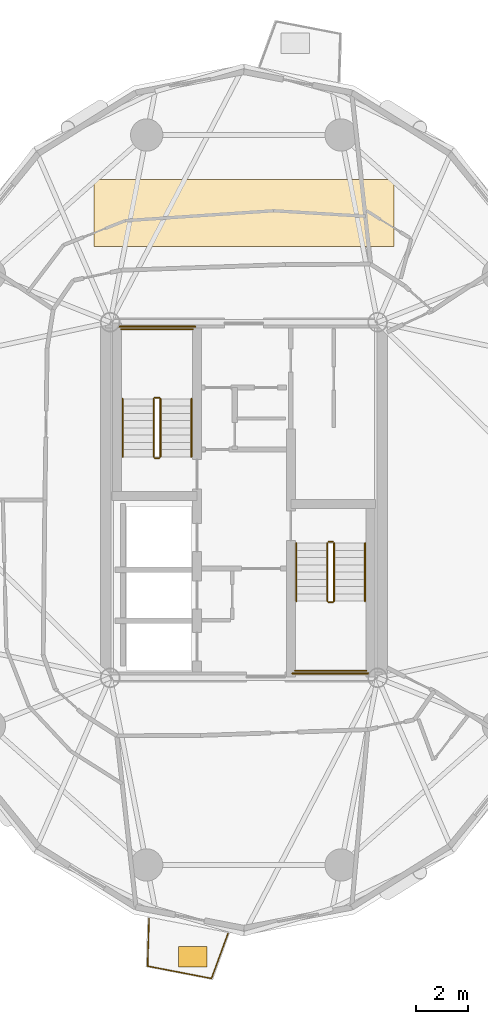
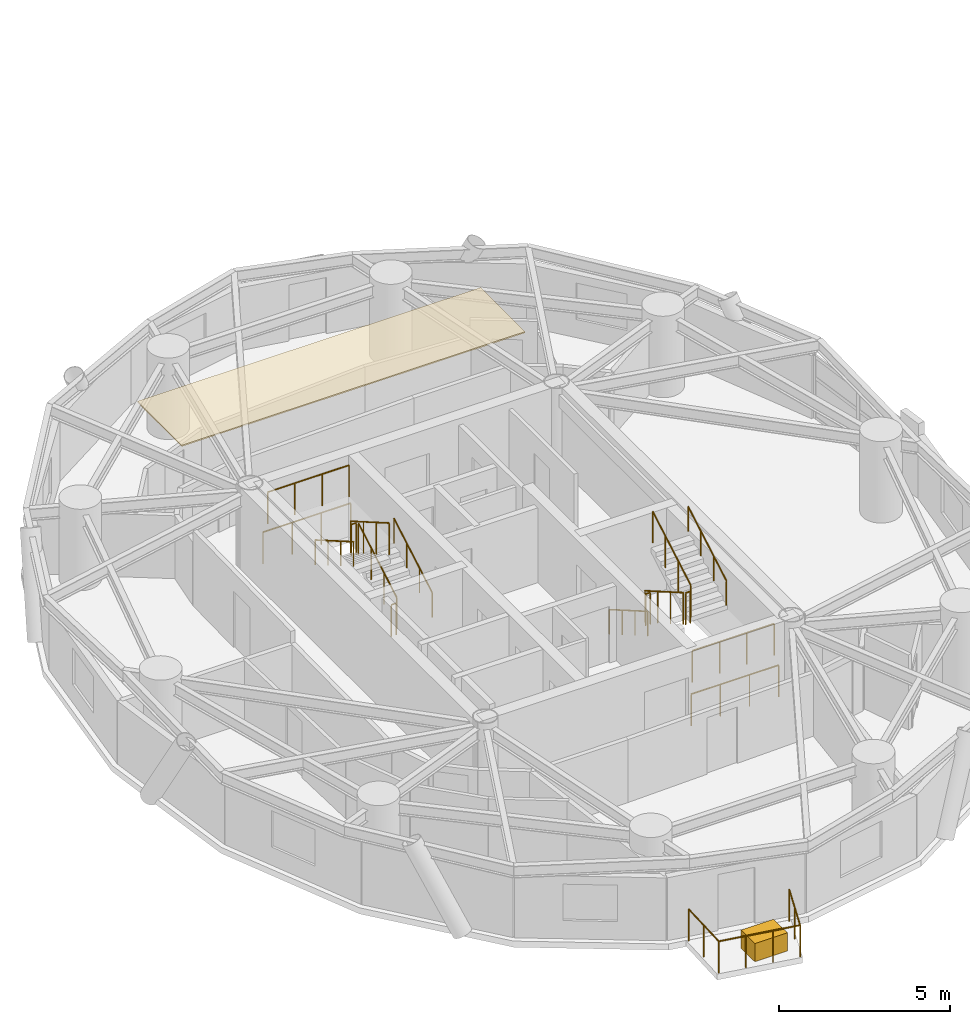
# One storey, part 14 of 16: 17 railings, 2 coverings.
"""IFC4 building model written with IfcOpenShell, lengths in metres."""

from ifc_helpers import new_model, si_unit, direction, frame, origin, origin_2d, place, context, subcontext, project, spatial, polyline, rectangle, circle, outline, extrude, source, transform, mapped, material, layer, layer_set, type_object, element, save


model = new_model("IFC4")

# Units and contexts
model_context = context("Model", 3, precision=1e-05, world=origin(), true_north=direction((0.0, 1.0)))
body_context = subcontext(model_context, "Body", "Model", "MODEL_VIEW")
ifc_project = project(units=[si_unit("LENGTHUNIT", "METRE"), si_unit("AREAUNIT", "SQUARE_METRE"), si_unit("VOLUMEUNIT", "CUBIC_METRE"), si_unit("PLANEANGLEUNIT", "RADIAN"), si_unit("MASSUNIT", "GRAM", prefix="KILO")], contexts=[model_context])

# Site, building, storey
site_placement = place(None, origin())
site = spatial("IfcSite", under=ifc_project, at=site_placement, CompositionType="ELEMENT")
building_placement = place(site_placement, origin())
building = spatial("IfcBuilding", under=site, at=building_placement, Name="Cununo Teusaquillo Station Towers", CompositionType="ELEMENT")
storey_placement = place(building_placement, frame((0.0, 0.0, 171.969970703125)))
storey = spatial("IfcBuildingStorey", under=building, at=storey_placement, Name="L54", CompositionType="ELEMENT", Elevation=171.969970703125)

# Covering
ifc_material_1 = material(Name="Mineral-fibre acoustic suspended ceiling tile", Category="finish")
ifc_layer_1 = layer(ifc_material_1, 0.044921875)
ifc_layer_set_1 = layer_set([ifc_layer_1], Name="Mineral-fibre acoustic suspended ceiling tile")
covering_type_1 = type_object("IfcCoveringType", Name="COV-CEIL-600", PredefinedType="CEILING", material=ifc_layer_set_1)
covering_1_placement = place(storey_placement, frame((0.0, 0.0, 2.64501953125)))
element("IfcCovering", 1, at=covering_1_placement, inside=storey, type_object=covering_type_1, Name="L54 Tower A Acoustic Ceiling", PredefinedType="CEILING", context=body_context, shape_type="SweptSolid", body=[
    extrude(outline(polyline([(22.300048828125, 36.89990234375), (22.300048828125, 34.300048828125), (10.699951171875, 34.300048828125), (10.699951171875, 36.89990234375), (22.300048828125, 36.89990234375)])), origin(), (0.0, 0.0, 1.0), 0.044921875),
])

# Railings
ifc_material_2 = material(Name="Anodised dark bronze aluminium EN AW-6063-T6", Category="aluminium")
railing_type_1 = type_object("IfcRailingType", Name="RL-EXT-GUARD", PredefinedType="GUARDRAIL", material=ifc_material_2)
railing_1_placement = place(storey_placement, frame((15.883544921875, 7.72265625, 0.0)))
element("IfcRailing", 2, at=railing_1_placement, inside=storey, type_object=railing_type_1, Name="L54 Tower A Balcony Guardrail C14", PredefinedType="GUARDRAIL", context=body_context, shape_type="SweptSolid", body=[
    extrude(circle(Radius=0.02392578125, at=origin_2d()), frame((0.0, 0.0, 1.1259765625), z_axis=(-0.3440608985, -0.938947335117, 0.0), x_axis=(0.938947335117, -0.3440608985, 0.0)), (0.0, 0.0, 1.0), 1.851318359375),
    extrude(circle(Radius=0.02392578125, at=origin_2d()), frame((-0.636962890625, -1.73828125, 1.1259765625), z_axis=(-0.981842829823, 0.189696224332, 0.0), x_axis=(-0.189696224332, -0.981842829823, 0.0)), (0.0, 0.0, 1.0), 2.517333984375),
    extrude(circle(Radius=0.02392578125, at=origin_2d()), frame((-3.108642578125, -1.2607421875, 1.1259765625), z_axis=(0.030460792522, 0.999535962394, 0.0), x_axis=(-0.999535962394, 0.030460792522, 0.0)), (0.0, 0.0, 1.0), 1.8515625),
    extrude(circle(Radius=0.02099609375, at=origin_2d()), origin(), (0.0, 0.0, 1.0), 1.101806640625),
    extrude(circle(Radius=0.02099609375, at=origin_2d()), frame((-0.318359375, -0.869140625, 0.0)), (0.0, 0.0, 1.0), 1.101806640625),
    extrude(circle(Radius=0.02099609375, at=origin_2d()), frame((-0.636962890625, -1.73828125, 0.0)), (0.0, 0.0, 1.0), 1.101806640625),
    extrude(circle(Radius=0.02099609375, at=origin_2d()), frame((-1.4609375, -1.5791015625, 0.0)), (0.0, 0.0, 1.0), 1.101806640625),
    extrude(circle(Radius=0.02099609375, at=origin_2d()), frame((-2.28466796875, -1.419921875, 0.0)), (0.0, 0.0, 1.0), 1.101806640625),
    extrude(circle(Radius=0.02099609375, at=origin_2d()), frame((-3.108642578125, -1.2607421875, 0.0)), (0.0, 0.0, 1.0), 1.101806640625),
    extrude(circle(Radius=0.02099609375, at=origin_2d()), frame((-3.08056640625, -0.33544921875, 0.0)), (0.0, 0.0, 1.0), 1.101806640625),
    extrude(circle(Radius=0.02099609375, at=origin_2d()), frame((-3.05224609375, 0.58984375, 0.0)), (0.0, 0.0, 1.0), 1.101806640625),
])
ifc_material_3 = material(Name="Steel EN 10025-2 S355J2", Category="steel")
railing_type_2 = type_object("IfcRailingType", Name="RL-INT-GUARD", PredefinedType="GUARDRAIL", material=ifc_material_3)
railing_2_placement = place(storey_placement, frame((13.27001953125, 26.169921875, 0.16162109375)))
element("IfcRailing", 3, at=railing_2_placement, inside=storey, type_object=railing_type_2, Name="L54 ST-T1-1 stair guard 1", PredefinedType="GUARDRAIL", context=body_context, shape_type="SweptSolid", body=[
    extrude(circle(Radius=0.02392578125, at=origin_2d()), frame((0.0, 0.0, 1.1259765625), z_axis=(0.0, 0.865992244559, 0.500057429065), x_axis=(-1.0, 0.0, 0.0)), (0.0, 0.0, 1.0), 2.586669921875),
    extrude(circle(Radius=0.02099609375, at=origin_2d()), origin(), (0.0, 0.0, 1.0), 1.101806640625),
    extrude(circle(Radius=0.02099609375, at=origin_2d()), frame((0.0, 0.74658203125, 0.43115234375)), (0.0, 0.0, 1.0), 1.101806640625),
    extrude(circle(Radius=0.02099609375, at=origin_2d()), frame((0.0, 1.493408203125, 0.8623046875)), (0.0, 0.0, 1.0), 1.101806640625),
    extrude(circle(Radius=0.02099609375, at=origin_2d()), frame((0.0, 2.239990234375, 1.29345703125)), (0.0, 0.0, 1.0), 1.101806640625),
])
railing_3_placement = place(storey_placement, frame((13.219970703125, 28.4599609375, 1.455078125)))
element("IfcRailing", 4, at=railing_3_placement, inside=storey, type_object=railing_type_2, Name="L54 ST-T1-1 stair guard 2", PredefinedType="GUARDRAIL", context=body_context, shape_type="SweptSolid", body=[
    extrude(circle(Radius=0.02392578125, at=origin_2d()), frame((0.0, 0.0, 1.1259765625), z_axis=(-1.0, 0.0, 0.0), x_axis=(0.0, -1.0, 0.0)), (0.0, 0.0, 1.0), 0.159912109375),
    extrude(circle(Radius=0.02099609375, at=origin_2d()), origin(), (0.0, 0.0, 1.0), 1.101806640625),
    extrude(circle(Radius=0.02099609375, at=origin_2d()), frame((-0.159912109375, 0.0, 0.0)), (0.0, 0.0, 1.0), 1.101806640625),
])
railing_4_placement = place(storey_placement, frame((14.52001953125, 31.110107421875, 1.455078125)))
element("IfcRailing", 5, at=railing_4_placement, inside=storey, type_object=railing_type_2, Name="L54 ST-T1-1 stair guard 3", PredefinedType="GUARDRAIL", context=body_context, shape_type="SweptSolid", body=[
    extrude(circle(Radius=0.02392578125, at=origin_2d()), frame((0.0, 0.0, 1.1259765625), z_axis=(-1.0, 0.0, 0.0), x_axis=(0.0, -1.0, 0.0)), (0.0, 0.0, 1.0), 2.760009765625),
    extrude(circle(Radius=0.02099609375, at=origin_2d()), origin(), (0.0, 0.0, 1.0), 1.101806640625),
    extrude(circle(Radius=0.02099609375, at=origin_2d()), frame((-0.919921875, 0.0, 0.0)), (0.0, 0.0, 1.0), 1.101806640625),
    extrude(circle(Radius=0.02099609375, at=origin_2d()), frame((-1.840087890625, 0.0, 0.0)), (0.0, 0.0, 1.0), 1.101806640625),
    extrude(circle(Radius=0.02099609375, at=origin_2d()), frame((-2.760009765625, 0.0, 0.0)), (0.0, 0.0, 1.0), 1.101806640625),
])
railing_5_placement = place(storey_placement, frame((13.010009765625, 28.409912109375, 1.61669921875)))
element("IfcRailing", 6, at=railing_5_placement, inside=storey, type_object=railing_type_2, Name="L54 ST-T1-1 stair guard 4", PredefinedType="GUARDRAIL", context=body_context, shape_type="SweptSolid", body=[
    extrude(circle(Radius=0.02392578125, at=origin_2d()), frame((0.0, 0.0, 1.1259765625), z_axis=(0.0, -0.866033117094, 0.499986639918), x_axis=(1.0, 0.0, 0.0)), (0.0, 0.0, 1.0), 2.58642578125),
    extrude(circle(Radius=0.02099609375, at=origin_2d()), origin(), (0.0, 0.0, 1.0), 1.101806640625),
    extrude(circle(Radius=0.02099609375, at=origin_2d()), frame((0.0, -0.74658203125, 0.43115234375)), (0.0, 0.0, 1.0), 1.101806640625),
    extrude(circle(Radius=0.02099609375, at=origin_2d()), frame((0.0, -1.493408203125, 0.862060546875)), (0.0, 0.0, 1.0), 1.101806640625),
    extrude(circle(Radius=0.02099609375, at=origin_2d()), frame((0.0, -2.239990234375, 1.293212890625)), (0.0, 0.0, 1.0), 1.101806640625),
])
railing_6_placement = place(storey_placement, frame((13.219970703125, 26.1201171875, 0.0)))
element("IfcRailing", 7, at=railing_6_placement, inside=storey, type_object=railing_type_2, Name="L54 ST-T1-1 stair guard 5", PredefinedType="GUARDRAIL", context=body_context, shape_type="SweptSolid", body=[
    extrude(circle(Radius=0.02392578125, at=origin_2d()), frame((0.0, 0.0, 1.1259765625), z_axis=(-1.0, 0.0, 0.0), x_axis=(0.0, -1.0, 0.0)), (0.0, 0.0, 1.0), 0.159912109375),
    extrude(circle(Radius=0.02099609375, at=origin_2d()), origin(), (0.0, 0.0, 1.0), 1.101806640625),
    extrude(circle(Radius=0.02099609375, at=origin_2d()), frame((-0.159912109375, 0.0, 0.0)), (0.0, 0.0, 1.0), 1.101806640625),
])
railing_7_placement = place(storey_placement, frame((14.6201171875, 31.2099609375, 0.0)))
element("IfcRailing", 8, at=railing_7_placement, inside=storey, type_object=railing_type_2, Name="L54 ST-T1-1 stair guard 6", PredefinedType="GUARDRAIL", context=body_context, shape_type="SweptSolid", body=[
    extrude(circle(Radius=0.02392578125, at=origin_2d()), frame((0.0, 0.0, 1.1259765625), z_axis=(-1.0, 0.0, 0.0), x_axis=(0.0, -1.0, 0.0)), (0.0, 0.0, 1.0), 2.960205078125),
    extrude(circle(Radius=0.02099609375, at=origin_2d()), origin(), (0.0, 0.0, 1.0), 1.101806640625),
    extrude(circle(Radius=0.02099609375, at=origin_2d()), frame((-0.98681640625, 0.0, 0.0)), (0.0, 0.0, 1.0), 1.101806640625),
    extrude(circle(Radius=0.02099609375, at=origin_2d()), frame((-1.973388671875, 0.0, 0.0)), (0.0, 0.0, 1.0), 1.101806640625),
    extrude(circle(Radius=0.02099609375, at=origin_2d()), frame((-2.960205078125, 0.0, 0.0)), (0.0, 0.0, 1.0), 1.101806640625),
])
railing_8_placement = place(storey_placement, frame((19.72998046875, 22.830078125, 0.16162109375)))
element("IfcRailing", 9, at=railing_8_placement, inside=storey, type_object=railing_type_2, Name="L54 ST-T1-2 stair guard 1", PredefinedType="GUARDRAIL", context=body_context, shape_type="SweptSolid", body=[
    extrude(circle(Radius=0.02392578125, at=origin_2d()), frame((0.0, 0.0, 1.1259765625), z_axis=(0.0, -0.865992244559, 0.500057429065), x_axis=(1.0, 0.0, 0.0)), (0.0, 0.0, 1.0), 2.586669921875),
    extrude(circle(Radius=0.02099609375, at=origin_2d()), origin(), (0.0, 0.0, 1.0), 1.101806640625),
    extrude(circle(Radius=0.02099609375, at=origin_2d()), frame((0.0, -0.74658203125, 0.43115234375)), (0.0, 0.0, 1.0), 1.101806640625),
    extrude(circle(Radius=0.02099609375, at=origin_2d()), frame((0.0, -1.493408203125, 0.8623046875)), (0.0, 0.0, 1.0), 1.101806640625),
    extrude(circle(Radius=0.02099609375, at=origin_2d()), frame((0.0, -2.239990234375, 1.29345703125)), (0.0, 0.0, 1.0), 1.101806640625),
])
railing_9_placement = place(storey_placement, frame((19.780029296875, 20.5400390625, 1.455078125)))
element("IfcRailing", 10, at=railing_9_placement, inside=storey, type_object=railing_type_2, Name="L54 ST-T1-2 stair guard 2", PredefinedType="GUARDRAIL", context=body_context, shape_type="SweptSolid", body=[
    extrude(circle(Radius=0.02392578125, at=origin_2d()), frame((0.0, 0.0, 1.1259765625), z_axis=(1.0, 0.0, 0.0), x_axis=(0.0, 1.0, 0.0)), (0.0, 0.0, 1.0), 0.159912109375),
    extrude(circle(Radius=0.02099609375, at=origin_2d()), origin(), (0.0, 0.0, 1.0), 1.101806640625),
    extrude(circle(Radius=0.02099609375, at=origin_2d()), frame((0.159912109375, 0.0, 0.0)), (0.0, 0.0, 1.0), 1.101806640625),
])
railing_10_placement = place(storey_placement, frame((18.47998046875, 17.889892578125, 1.455078125)))
element("IfcRailing", 11, at=railing_10_placement, inside=storey, type_object=railing_type_2, Name="L54 ST-T1-2 stair guard 3", PredefinedType="GUARDRAIL", context=body_context, shape_type="SweptSolid", body=[
    extrude(circle(Radius=0.02392578125, at=origin_2d()), frame((0.0, 0.0, 1.1259765625), z_axis=(1.0, 0.0, 0.0), x_axis=(0.0, 1.0, 0.0)), (0.0, 0.0, 1.0), 2.760009765625),
    extrude(circle(Radius=0.02099609375, at=origin_2d()), origin(), (0.0, 0.0, 1.0), 1.101806640625),
    extrude(circle(Radius=0.02099609375, at=origin_2d()), frame((0.919921875, 0.0, 0.0)), (0.0, 0.0, 1.0), 1.101806640625),
    extrude(circle(Radius=0.02099609375, at=origin_2d()), frame((1.840087890625, 0.0, 0.0)), (0.0, 0.0, 1.0), 1.101806640625),
    extrude(circle(Radius=0.02099609375, at=origin_2d()), frame((2.760009765625, 0.0, 0.0)), (0.0, 0.0, 1.0), 1.101806640625),
])
railing_11_placement = place(storey_placement, frame((19.989990234375, 20.590087890625, 1.61669921875)))
element("IfcRailing", 12, at=railing_11_placement, inside=storey, type_object=railing_type_2, Name="L54 ST-T1-2 stair guard 4", PredefinedType="GUARDRAIL", context=body_context, shape_type="SweptSolid", body=[
    extrude(circle(Radius=0.02392578125, at=origin_2d()), frame((0.0, 0.0, 1.1259765625), z_axis=(0.0, 0.866033117094, 0.499986639918), x_axis=(-1.0, 0.0, 0.0)), (0.0, 0.0, 1.0), 2.58642578125),
    extrude(circle(Radius=0.02099609375, at=origin_2d()), origin(), (0.0, 0.0, 1.0), 1.101806640625),
    extrude(circle(Radius=0.02099609375, at=origin_2d()), frame((0.0, 0.74658203125, 0.43115234375)), (0.0, 0.0, 1.0), 1.101806640625),
    extrude(circle(Radius=0.02099609375, at=origin_2d()), frame((0.0, 1.493408203125, 0.862060546875)), (0.0, 0.0, 1.0), 1.101806640625),
    extrude(circle(Radius=0.02099609375, at=origin_2d()), frame((0.0, 2.239990234375, 1.293212890625)), (0.0, 0.0, 1.0), 1.101806640625),
])
railing_12_placement = place(storey_placement, frame((19.780029296875, 22.8798828125, 0.0)))
element("IfcRailing", 13, at=railing_12_placement, inside=storey, type_object=railing_type_2, Name="L54 ST-T1-2 stair guard 5", PredefinedType="GUARDRAIL", context=body_context, shape_type="SweptSolid", body=[
    extrude(circle(Radius=0.02392578125, at=origin_2d()), frame((0.0, 0.0, 1.1259765625), z_axis=(1.0, 0.0, 0.0), x_axis=(0.0, 1.0, 0.0)), (0.0, 0.0, 1.0), 0.159912109375),
    extrude(circle(Radius=0.02099609375, at=origin_2d()), origin(), (0.0, 0.0, 1.0), 1.101806640625),
    extrude(circle(Radius=0.02099609375, at=origin_2d()), frame((0.159912109375, 0.0, 0.0)), (0.0, 0.0, 1.0), 1.101806640625),
])
railing_13_placement = place(storey_placement, frame((18.3798828125, 17.7900390625, 0.0)))
element("IfcRailing", 14, at=railing_13_placement, inside=storey, type_object=railing_type_2, Name="L54 ST-T1-2 stair guard 6", PredefinedType="GUARDRAIL", context=body_context, shape_type="SweptSolid", body=[
    extrude(circle(Radius=0.02392578125, at=origin_2d()), frame((0.0, 0.0, 1.1259765625), z_axis=(1.0, 0.0, 0.0), x_axis=(0.0, 1.0, 0.0)), (0.0, 0.0, 1.0), 2.960205078125),
    extrude(circle(Radius=0.02099609375, at=origin_2d()), origin(), (0.0, 0.0, 1.0), 1.101806640625),
    extrude(circle(Radius=0.02099609375, at=origin_2d()), frame((0.98681640625, 0.0, 0.0)), (0.0, 0.0, 1.0), 1.101806640625),
    extrude(circle(Radius=0.02099609375, at=origin_2d()), frame((1.973388671875, 0.0, 0.0)), (0.0, 0.0, 1.0), 1.101806640625),
    extrude(circle(Radius=0.02099609375, at=origin_2d()), frame((2.960205078125, 0.0, 0.0)), (0.0, 0.0, 1.0), 1.101806640625),
])
ifc_material_4 = material(Name="Steel EN 10025-2 S355J2", Category="steel")
railing_type_3 = type_object("IfcRailingType", Name="RL-INT-HRAIL", PredefinedType="HANDRAIL", material=ifc_material_4)
railing_14_placement = place(storey_placement, frame((14.469970703125, 26.169921875, 0.16162109375)))
element("IfcRailing", 15, at=railing_14_placement, inside=storey, type_object=railing_type_3, Name="L54 ST-T1-1 stair handrail 1", PredefinedType="HANDRAIL", context=body_context, shape_type="SweptSolid", body=[
    extrude(circle(Radius=0.02392578125, at=origin_2d()), frame((0.0, 0.0, 0.8759765625), z_axis=(0.0, 0.865992244559, 0.500057429065), x_axis=(-1.0, 0.0, 0.0)), (0.0, 0.0, 1.0), 2.586669921875),
    extrude(circle(Radius=0.02099609375, at=origin_2d()), origin(), (0.0, 0.0, 1.0), 0.851806640625),
    extrude(circle(Radius=0.02099609375, at=origin_2d()), frame((0.0, 0.74658203125, 0.43115234375)), (0.0, 0.0, 1.0), 0.851806640625),
    extrude(circle(Radius=0.02099609375, at=origin_2d()), frame((0.0, 1.493408203125, 0.8623046875)), (0.0, 0.0, 1.0), 0.851806640625),
    extrude(circle(Radius=0.02099609375, at=origin_2d()), frame((0.0, 2.239990234375, 1.29345703125)), (0.0, 0.0, 1.0), 0.851806640625),
])
railing_15_placement = place(storey_placement, frame((11.81005859375, 28.409912109375, 1.61669921875)))
element("IfcRailing", 16, at=railing_15_placement, inside=storey, type_object=railing_type_3, Name="L54 ST-T1-1 stair handrail 2", PredefinedType="HANDRAIL", context=body_context, shape_type="SweptSolid", body=[
    extrude(circle(Radius=0.02392578125, at=origin_2d()), frame((0.0, 0.0, 0.8759765625), z_axis=(0.0, -0.866033117094, 0.499986639918), x_axis=(1.0, 0.0, 0.0)), (0.0, 0.0, 1.0), 2.58642578125),
    extrude(circle(Radius=0.02099609375, at=origin_2d()), origin(), (0.0, 0.0, 1.0), 0.851806640625),
    extrude(circle(Radius=0.02099609375, at=origin_2d()), frame((0.0, -0.74658203125, 0.43115234375)), (0.0, 0.0, 1.0), 0.851806640625),
    extrude(circle(Radius=0.02099609375, at=origin_2d()), frame((0.0, -1.493408203125, 0.862060546875)), (0.0, 0.0, 1.0), 0.851806640625),
    extrude(circle(Radius=0.02099609375, at=origin_2d()), frame((0.0, -2.239990234375, 1.293212890625)), (0.0, 0.0, 1.0), 0.851806640625),
])
railing_16_placement = place(storey_placement, frame((18.530029296875, 22.830078125, 0.16162109375)))
element("IfcRailing", 17, at=railing_16_placement, inside=storey, type_object=railing_type_3, Name="L54 ST-T1-2 stair handrail 1", PredefinedType="HANDRAIL", context=body_context, shape_type="SweptSolid", body=[
    extrude(circle(Radius=0.02392578125, at=origin_2d()), frame((0.0, 0.0, 0.8759765625), z_axis=(0.0, -0.865992244559, 0.500057429065), x_axis=(1.0, 0.0, 0.0)), (0.0, 0.0, 1.0), 2.586669921875),
    extrude(circle(Radius=0.02099609375, at=origin_2d()), origin(), (0.0, 0.0, 1.0), 0.851806640625),
    extrude(circle(Radius=0.02099609375, at=origin_2d()), frame((0.0, -0.74658203125, 0.43115234375)), (0.0, 0.0, 1.0), 0.851806640625),
    extrude(circle(Radius=0.02099609375, at=origin_2d()), frame((0.0, -1.493408203125, 0.8623046875)), (0.0, 0.0, 1.0), 0.851806640625),
    extrude(circle(Radius=0.02099609375, at=origin_2d()), frame((0.0, -2.239990234375, 1.29345703125)), (0.0, 0.0, 1.0), 0.851806640625),
])
railing_17_placement = place(storey_placement, frame((21.18994140625, 20.590087890625, 1.61669921875)))
element("IfcRailing", 18, at=railing_17_placement, inside=storey, type_object=railing_type_3, Name="L54 ST-T1-2 stair handrail 2", PredefinedType="HANDRAIL", context=body_context, shape_type="SweptSolid", body=[
    extrude(circle(Radius=0.02392578125, at=origin_2d()), frame((0.0, 0.0, 0.8759765625), z_axis=(0.0, 0.866033117094, 0.499986639918), x_axis=(-1.0, 0.0, 0.0)), (0.0, 0.0, 1.0), 2.58642578125),
    extrude(circle(Radius=0.02099609375, at=origin_2d()), origin(), (0.0, 0.0, 1.0), 0.851806640625),
    extrude(circle(Radius=0.02099609375, at=origin_2d()), frame((0.0, 0.74658203125, 0.43115234375)), (0.0, 0.0, 1.0), 0.851806640625),
    extrude(circle(Radius=0.02099609375, at=origin_2d()), frame((0.0, 1.493408203125, 0.862060546875)), (0.0, 0.0, 1.0), 0.851806640625),
    extrude(circle(Radius=0.02099609375, at=origin_2d()), frame((0.0, 2.239990234375, 1.293212890625)), (0.0, 0.0, 1.0), 0.851806640625),
])

# Covering
ifc_material_5 = material(Name="Architectural GRC planter shell and engineered root-zone substrate", Category="concrete")
ifc_layer_2 = layer(ifc_material_5, 0.64990234375)
ifc_layer_set_2 = layer_set([ifc_layer_2], Name="Architectural GRC planter shell and engineered root-zone substrate")
covering_type_2 = type_object("IfcCoveringType", Name="COV-TREE-PLANTER", PredefinedType="CLADDING", material=ifc_layer_set_2)
shared_shape = source(origin(), body_context, "Body", "SweptSolid", [
    extrude(rectangle(XDim=1.10009765625, YDim=0.800048828125, at=origin_2d()), origin(), (0.0, 0.0, 1.0), 0.64990234375),
])
covering_2_placement = place(storey_placement, frame((14.51904296875, 6.82421875, 0.0), z_axis=(0.0, 0.0, 1.0), x_axis=(1.0, 0.0, 0.0)))
element("IfcCovering", 19, at=covering_2_placement, inside=storey, type_object=covering_type_2, Name="L54 Tower A Balcony Tree PLANTER C14", PredefinedType="CLADDING", context=body_context, shape_type="MappedRepresentation", body=[
    mapped(shared_shape, transform((0.0, 0.0, 0.0), x_axis=(1.0, 0.0, 0.0), y_axis=(0.0, 1.0, 0.0), z_axis=(0.0, 0.0, 1.0), scale=1.0)),
])

save(model, "model.ifc")
